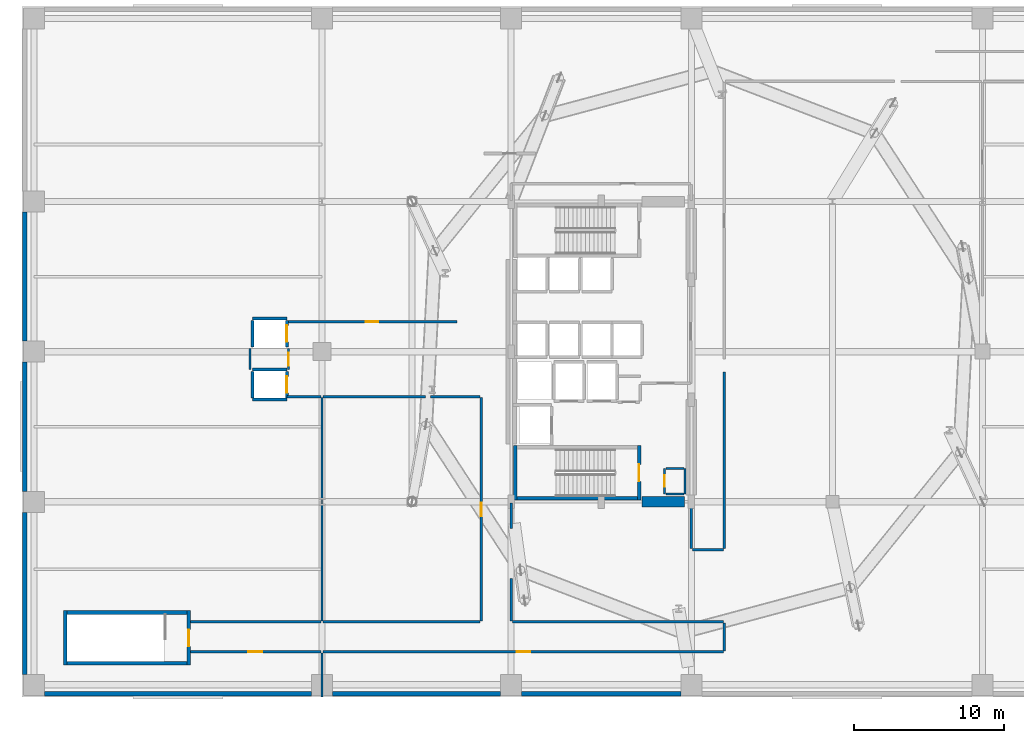
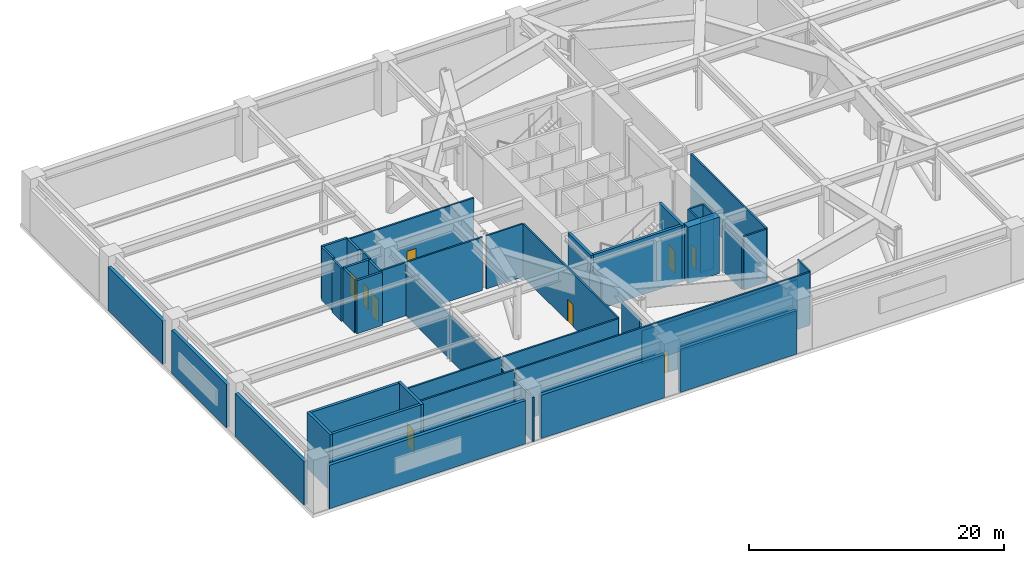
# One storey, part 6 of 12: 45 walls, 10 doors, 10 openings.
"""IFC4 building model written with IfcOpenShell, lengths in metres."""

from ifc_helpers import new_model, si_unit, direction, frame, frame_2d, origin, place, context, subcontext, project, spatial, rectangle, extrude, material, layer, layer_set, type_object, element, fill, save


model = new_model("IFC4")

# Units and contexts
model_context = context("Model", 3, precision=1e-05, world=origin(), true_north=direction((0.0, 1.0)))
body_context = subcontext(model_context, "Body", "Model", "MODEL_VIEW")
ifc_project = project(units=[si_unit("LENGTHUNIT", "METRE"), si_unit("AREAUNIT", "SQUARE_METRE"), si_unit("VOLUMEUNIT", "CUBIC_METRE"), si_unit("PLANEANGLEUNIT", "RADIAN"), si_unit("MASSUNIT", "GRAM", prefix="KILO")], contexts=[model_context])

# Site, building, storey
site_placement = place(None, origin())
site = spatial("IfcSite", under=ifc_project, at=site_placement, CompositionType="ELEMENT")
building_placement = place(site_placement, origin())
building = spatial("IfcBuilding", under=site, at=building_placement, Name="Soratama Intermodal Tower", CompositionType="ELEMENT")
storey_placement = place(building_placement, frame((0.0, 0.0, 25.199951171875)))
storey = spatial("IfcBuildingStorey", under=building, at=storey_placement, Name="L05", CompositionType="ELEMENT", Elevation=25.199951171875)

# Walls
ifc_material_1 = material(Name="Concrete f'c 42 MPa", Category="concrete")
ifc_layer_1 = layer(ifc_material_1, 0.300048828125)
ifc_layer_set_1 = layer_set([ifc_layer_1], Name="Concrete f'c 42 MPa")
wall_type_1 = type_object("IfcWallType", Name="EW-STONE-300", PredefinedType="SOLIDWALL", material=ifc_layer_set_1)
wall_1_placement = place(storey_placement, frame((19.300048828125, 2.199951171875, 0.0), z_axis=(0.0, 0.0, 1.0), x_axis=(-1.0, 0.0, 0.0)))
element("IfcWall", 1, at=wall_1_placement, inside=storey, type_object=wall_type_1, Name="L05 Transfer Plant Wall S1", PredefinedType="SOLIDWALL", context=body_context, shape_type="SweptSolid", body=[
    extrude(rectangle(XDim=17.800048828125, YDim=0.300048828125, at=frame_2d((8.89990234375, 0.0))), origin(), (0.0, 0.0, 1.0), 4.156005859375),
])
wall_2_placement = place(storey_placement, frame((31.89990234375, 2.199951171875, 0.0), z_axis=(0.0, 0.0, 1.0), x_axis=(-1.0, 0.0, 0.0)))
element("IfcWall", 2, at=wall_2_placement, inside=storey, type_object=wall_type_1, Name="L05 Transfer Plant Wall S2", PredefinedType="SOLIDWALL", context=body_context, shape_type="SweptSolid", body=[
    extrude(rectangle(XDim=11.199951171875, YDim=0.300048828125, at=frame_2d((5.60009765625, 0.0))), origin(), (0.0, 0.0, 1.0), 4.156005859375),
])
wall_3_placement = place(storey_placement, frame((43.89990234375, 2.199951171875, 0.0), z_axis=(0.0, 0.0, 1.0), x_axis=(-1.0, 0.0, 0.0)))
element("IfcWall", 3, at=wall_3_placement, inside=storey, type_object=wall_type_1, Name="L05 Transfer Plant Wall S3", PredefinedType="SOLIDWALL", context=body_context, shape_type="SweptSolid", body=[
    extrude(rectangle(XDim=10.599853515625, YDim=0.300048828125, at=frame_2d((5.2998046875, 0.0))), origin(), (0.0, 0.0, 1.0), 4.156005859375),
])
wall_4_placement = place(storey_placement, frame((0.199951171875, 3.5, 0.0), z_axis=(0.0, 0.0, 1.0), x_axis=(0.0, 1.0, 0.0)))
element("IfcWall", 4, at=wall_4_placement, inside=storey, type_object=wall_type_1, Name="L05 Transfer Plant Wall W1", PredefinedType="SOLIDWALL", context=body_context, shape_type="SweptSolid", body=[
    extrude(rectangle(XDim=10.800048828125, YDim=0.300048828125, at=frame_2d((5.39990234375, 0.0))), origin(), (0.0, 0.0, 1.0), 4.156005859375),
])
for number, where, z_axis, x_axis, name in (
    (5, (0.199951171875, 15.699951171875, 0.0), (0.0, 0.0, 1.0), (0.0, 1.0, 0.0), "L05 Transfer Plant Wall W2"),
    (6, (0.199951171875, 25.699951171875, 0.0), (0.0, 0.0, 1.0), (0.0, 1.0, 0.0), "L05 Transfer Plant Wall W3"),
):
    element("IfcWall", number, at=place(storey_placement, frame(where, z_axis=z_axis, x_axis=x_axis)), inside=storey, type_object=wall_type_1, Name=name, PredefinedType="SOLIDWALL", context=body_context, shape_type="SweptSolid", body=[
        extrude(rectangle(XDim=8.60009765625, YDim=0.300048828125, at=frame_2d((4.300048828125, 0.0))), origin(), (0.0, 0.0, 1.0), 4.156005859375),
    ])
ifc_material_2 = material(Name="Fire-rated gypsum stud partition", Category="concrete")
ifc_layer_2 = layer(ifc_material_2, 0.14990234375)
ifc_layer_set_2 = layer_set([ifc_layer_2], Name="Fire-rated gypsum stud partition")
wall_type_2 = type_object("IfcWallType", Name="IW-PART-R150", PredefinedType="PARTITIONING", material=ifc_layer_set_2)
for number, where, z_axis, x_axis, name in (
    (7, (42.89990234375, 15.52001953125, 0.0), (0.0, 0.0, 1.0), (1.0, 0.0, 0.0), "L05 Riser Wall S"),
    (8, (42.89990234375, 17.219970703125, 0.0), (0.0, 0.0, 1.0), (1.0, 0.0, 0.0), "L05 Riser Wall N"),
):
    element("IfcWall", number, at=place(storey_placement, frame(where, z_axis=z_axis, x_axis=x_axis)), inside=storey, type_object=wall_type_2, Name=name, PredefinedType="PARTITIONING", context=body_context, shape_type="SweptSolid", body=[
        extrude(rectangle(XDim=1.2001953125, YDim=0.14990234375, at=frame_2d((0.60009765625, 0.0))), origin(), (0.0, 0.0, 1.0), 5.10009765625),
    ])
wall_5_placement = place(storey_placement, frame((44.179931640625, 15.52001953125, 0.0), z_axis=(0.0, 0.0, 1.0), x_axis=(0.0, 1.0, 0.0)))
element("IfcWall", 9, at=wall_5_placement, inside=storey, type_object=wall_type_2, Name="L05 Riser Wall E", PredefinedType="PARTITIONING", context=body_context, shape_type="SweptSolid", body=[
    extrude(rectangle(XDim=1.699951171875, YDim=0.14990234375, at=frame_2d((0.85009765625, 0.0))), origin(), (0.0, 0.0, 1.0), 5.10009765625),
])

# Wall, opening, door
wall_6_placement = place(storey_placement, frame((42.820068359375, 15.52001953125, 0.0), z_axis=(0.0, 0.0, 1.0), x_axis=(0.0, 1.0, 0.0)))
wall_6 = element("IfcWall", 10, at=wall_6_placement, inside=storey, type_object=wall_type_2, Name="L05 Riser Front Wall", PredefinedType="PARTITIONING", context=body_context, shape_type="SweptSolid", body=[
    extrude(rectangle(XDim=1.699951171875, YDim=0.14990234375, at=frame_2d((0.85009765625, 0.0))), origin(), (0.0, 0.0, 1.0), 5.10009765625),
])
opening_1_placement = place(wall_6_placement, frame((0.469970703125, 0.0, 0.0)))
opening_1 = element("IfcOpeningElement", 11, at=opening_1_placement, cuts=wall_6, Name="Opening TD-1", PredefinedType="OPENING", context=body_context, shape_type="SweptSolid", body=[
    extrude(rectangle(XDim=0.760009765625, YDim=2.0, at=frame_2d((0.3798828125, 1.0))), frame((0.0, 0.0849609375, 0.0), z_axis=(0.0, -1.0, 0.0), x_axis=(1.0, 0.0, 0.0)), (0.0, 0.0, 1.0), 0.169921875),
])
ifc_material_3 = material(Name="Steel fire door", Category="steel")
door_type_1 = type_object("IfcDoorType", Name="DR-RISER-TRAP", OperationType="NOTDEFINED", PredefinedType="TRAPDOOR", material=ifc_material_3)
door_1_placement = place(opening_1_placement, origin())
door_1 = element("IfcDoor", 12, at=door_1_placement, inside=storey, type_object=door_type_1, Name="L05 Riser Inspection Door", OperationType="SINGLE_SWING_LEFT", OverallHeight=2.0, OverallWidth=0.760009765625, PredefinedType="TRAPDOOR", context=body_context, shape_type="SweptSolid", body=[
    extrude(rectangle(XDim=0.760009765625, YDim=2.0, at=frame_2d((0.3798828125, 1.0))), frame((0.0, 0.02490234375, 0.0), z_axis=(0.0, -1.0, 0.0), x_axis=(1.0, 0.0, 0.0)), (0.0, 0.0, 1.0), 0.050048828125),
])
fill(opening_1, door_1)

wall_7_placement = place(storey_placement, frame((46.72998046875, 5.0, 0.0), z_axis=(0.0, 0.0, 1.0), x_axis=(-1.0, 0.0, 0.0)))
wall_7 = element("IfcWall", 13, at=wall_7_placement, inside=storey, type_object=wall_type_2, Name="L05 Partition W-L05-TP001", PredefinedType="PARTITIONING", context=body_context, shape_type="SweptSolid", body=[
    extrude(rectangle(XDim=26.659912109375, YDim=0.14990234375, at=frame_2d((13.330078125, 0.0))), origin(), (0.0, 0.0, 1.0), 5.10009765625),
])
opening_2_placement = place(wall_7_placement, frame((12.85498046875, 0.0, 0.0)))
opening_2 = element("IfcOpeningElement", 14, at=opening_2_placement, cuts=wall_7, Name="Opening ID-6", PredefinedType="OPENING", context=body_context, shape_type="SweptSolid", body=[
    extrude(rectangle(XDim=0.919921875, YDim=2.1201171875, at=frame_2d((0.4599609375, 1.06005859375))), frame((0.0, 0.0849609375, 0.0), z_axis=(0.0, -1.0, 0.0), x_axis=(1.0, 0.0, 0.0)), (0.0, 0.0, 1.0), 0.169921875),
])
ifc_material_4 = material(Name="Solid hardwood acoustic door", Category="wood")
door_type_2 = type_object("IfcDoorType", Name="DR-ROOM-920", OperationType="NOTDEFINED", PredefinedType="DOOR", material=ifc_material_4)
door_2_placement = place(opening_2_placement, origin())
door_2 = element("IfcDoor", 15, at=door_2_placement, inside=storey, type_object=door_type_2, Name="L05 Door D-L05-TP001", OperationType="SINGLE_SWING_RIGHT", OverallHeight=2.1201171875, OverallWidth=0.919921875, PredefinedType="DOOR", context=body_context, shape_type="SweptSolid", body=[
    extrude(rectangle(XDim=0.919921875, YDim=2.1201171875, at=frame_2d((0.4599609375, 1.06005859375))), frame((0.0, 0.02490234375, 0.0), z_axis=(0.0, -1.0, 0.0), x_axis=(1.0, 0.0, 0.0)), (0.0, 0.0, 1.0), 0.050048828125),
])
fill(opening_2, door_2)

wall_8_placement = place(storey_placement, frame((30.60009765625, 7.070068359375, 0.0), z_axis=(0.0, 0.0, 1.0), x_axis=(0.0, 1.0, 0.0)))
wall_8 = element("IfcWall", 16, at=wall_8_placement, inside=storey, type_object=wall_type_2, Name="L05 Partition W-L05-TP002", PredefinedType="PARTITIONING", context=body_context, shape_type="SweptSolid", body=[
    extrude(rectangle(XDim=14.85986328125, YDim=0.14990234375, at=frame_2d((7.429931640625, 0.0))), origin(), (0.0, 0.0, 1.0), 5.10009765625),
])
opening_3_placement = place(wall_8_placement, frame((6.955078125, 0.0, 0.0)))
opening_3 = element("IfcOpeningElement", 17, at=opening_3_placement, cuts=wall_8, Name="Opening ID-6", PredefinedType="OPENING", context=body_context, shape_type="SweptSolid", body=[
    extrude(rectangle(XDim=0.919921875, YDim=2.1201171875, at=frame_2d((0.4599609375, 1.06005859375))), frame((0.0, 0.0849609375, 0.0), z_axis=(0.0, -1.0, 0.0), x_axis=(1.0, 0.0, 0.0)), (0.0, 0.0, 1.0), 0.169921875),
])
door_3_placement = place(opening_3_placement, origin())
door_3 = element("IfcDoor", 18, at=door_3_placement, inside=storey, type_object=door_type_2, Name="L05 Door D-L05-TP002", OperationType="SINGLE_SWING_LEFT", OverallHeight=2.1201171875, OverallWidth=0.919921875, PredefinedType="DOOR", context=body_context, shape_type="SweptSolid", body=[
    extrude(rectangle(XDim=0.919921875, YDim=2.1201171875, at=frame_2d((0.4599609375, 1.06005859375))), frame((0.0, 0.02490234375, 0.0), z_axis=(0.0, -1.0, 0.0), x_axis=(1.0, 0.0, 0.0)), (0.0, 0.0, 1.0), 0.050048828125),
])
fill(opening_3, door_3)

# Walls
wall_9_placement = place(storey_placement, frame((20.0, 21.929931640625, 0.0), z_axis=(0.0, 0.0, 1.0), x_axis=(0.0, -1.0, 0.0)))
element("IfcWall", 19, at=wall_9_placement, inside=storey, type_object=wall_type_2, Name="L05 Partition W-L05-TP003", PredefinedType="PARTITIONING", context=body_context, shape_type="SweptSolid", body=[
    extrude(rectangle(XDim=14.85986328125, YDim=0.14990234375, at=frame_2d((7.429931640625, 0.0))), origin(), (0.0, 0.0, 1.0), 4.22216796875),
])
wall_10_placement = place(storey_placement, frame((32.669921875, 7.0, 0.0), z_axis=(0.0, 0.0, 1.0), x_axis=(1.0, 0.0, 0.0)))
element("IfcWall", 20, at=wall_10_placement, inside=storey, type_object=wall_type_2, Name="L05 Partition W-L05-TP004", PredefinedType="PARTITIONING", context=body_context, shape_type="SweptSolid", body=[
    extrude(rectangle(XDim=14.06005859375, YDim=0.14990234375, at=frame_2d((7.030029296875, 0.0))), origin(), (0.0, 0.0, 1.0), 3.170166015625),
])
wall_11_placement = place(storey_placement, frame((20.070068359375, 7.0, 0.0), z_axis=(0.0, 0.0, 1.0), x_axis=(1.0, 0.0, 0.0)))
element("IfcWall", 21, at=wall_11_placement, inside=storey, type_object=wall_type_2, Name="L05 Partition W-L05-TP006", PredefinedType="PARTITIONING", context=body_context, shape_type="SweptSolid", body=[
    extrude(rectangle(XDim=10.4599609375, YDim=0.14990234375, at=frame_2d((5.22998046875, 0.0))), origin(), (0.0, 0.0, 1.0), 5.10009765625),
])

# Wall, opening, door
wall_12_placement = place(storey_placement, frame((19.929931640625, 5.0, 0.0), z_axis=(0.0, 0.0, 1.0), x_axis=(-1.0, 0.0, 0.0)))
wall_12 = element("IfcWall", 22, at=wall_12_placement, inside=storey, type_object=wall_type_2, Name="L05 Partition W-L05-TP008", PredefinedType="PARTITIONING", context=body_context, shape_type="SweptSolid", body=[
    extrude(rectangle(XDim=8.809814453125, YDim=0.14990234375, at=frame_2d((4.40478515625, 0.0))), origin(), (0.0, 0.0, 1.0), 5.10009765625),
])
opening_4_placement = place(wall_12_placement, frame((3.929931640625, 0.0, 0.0)))
opening_4 = element("IfcOpeningElement", 23, at=opening_4_placement, cuts=wall_12, Name="Opening ID-6", PredefinedType="OPENING", context=body_context, shape_type="SweptSolid", body=[
    extrude(rectangle(XDim=0.919921875, YDim=2.1201171875, at=frame_2d((0.4599609375, 1.06005859375))), frame((0.0, 0.0849609375, 0.0), z_axis=(0.0, -1.0, 0.0), x_axis=(1.0, 0.0, 0.0)), (0.0, 0.0, 1.0), 0.169921875),
])
door_4_placement = place(opening_4_placement, origin())
door_4 = element("IfcDoor", 24, at=door_4_placement, inside=storey, type_object=door_type_2, Name="L05 Door D-L05-TP005", OperationType="SINGLE_SWING_RIGHT", OverallHeight=2.1201171875, OverallWidth=0.919921875, PredefinedType="DOOR", context=body_context, shape_type="SweptSolid", body=[
    extrude(rectangle(XDim=0.919921875, YDim=2.1201171875, at=frame_2d((0.4599609375, 1.06005859375))), frame((0.0, 0.02490234375, 0.0), z_axis=(0.0, -1.0, 0.0), x_axis=(1.0, 0.0, 0.0)), (0.0, 0.0, 1.0), 0.050048828125),
])
fill(opening_4, door_4)

# Walls
wall_13_placement = place(storey_placement, frame((11.1201171875, 7.0, 0.0), z_axis=(0.0, 0.0, 1.0), x_axis=(1.0, 0.0, 0.0)))
element("IfcWall", 25, at=wall_13_placement, inside=storey, type_object=wall_type_2, Name="L05 Partition W-L05-TP009", PredefinedType="PARTITIONING", context=body_context, shape_type="SweptSolid", body=[
    extrude(rectangle(XDim=8.809814453125, YDim=0.14990234375, at=frame_2d((4.40478515625, 0.0))), origin(), (0.0, 0.0, 1.0), 5.10009765625),
])
wall_14_placement = place(storey_placement, frame((44.60009765625, 11.8701171875, 0.0), z_axis=(0.0, 0.0, 1.0), x_axis=(0.0, 1.0, 0.0)))
element("IfcWall", 26, at=wall_14_placement, inside=storey, type_object=wall_type_2, Name="L05 Partition W-L05-TP012", PredefinedType="PARTITIONING", context=body_context, shape_type="SweptSolid", body=[
    extrude(rectangle(XDim=3.059814453125, YDim=0.14990234375, at=frame_2d((1.52978515625, 0.0))), origin(), (0.0, 0.0, 1.0), 4.22216796875),
])
wall_15_placement = place(storey_placement, frame((20.0, 2.0, 0.0), z_axis=(0.0, 0.0, 1.0), x_axis=(0.0, 1.0, 0.0)))
element("IfcWall", 27, at=wall_15_placement, inside=storey, type_object=wall_type_2, Name="L05 Partition W-L05-TP013", PredefinedType="PARTITIONING", context=body_context, shape_type="SweptSolid", body=[
    extrude(rectangle(XDim=2.929931640625, YDim=0.14990234375, at=frame_2d((1.46484375, 0.0))), origin(), (0.0, 0.0, 1.0), 4.22216796875),
])
wall_16_placement = place(storey_placement, frame((19.929931640625, 22.0, 0.0), z_axis=(0.0, 0.0, 1.0), x_axis=(-1.0, 0.0, 0.0)))
element("IfcWall", 28, at=wall_16_placement, inside=storey, type_object=wall_type_2, Name="L05 Partition W-L05-TP014", PredefinedType="PARTITIONING", context=body_context, shape_type="SweptSolid", body=[
    extrude(rectangle(XDim=2.280029296875, YDim=0.14990234375, at=frame_2d((1.14013671875, 0.0))), origin(), (0.0, 0.0, 1.0), 5.10009765625),
])
wall_17_placement = place(storey_placement, frame((46.72998046875, 11.800048828125, 0.0), z_axis=(0.0, 0.0, 1.0), x_axis=(-1.0, 0.0, 0.0)))
element("IfcWall", 29, at=wall_17_placement, inside=storey, type_object=wall_type_2, Name="L05 Partition W-L05-TP015", PredefinedType="PARTITIONING", context=body_context, shape_type="SweptSolid", body=[
    extrude(rectangle(XDim=2.06005859375, YDim=0.14990234375, at=frame_2d((1.030029296875, 0.0))), origin(), (0.0, 0.0, 1.0), 5.10009765625),
])
wall_18_placement = place(storey_placement, frame((46.800048828125, 6.929931640625, 0.0), z_axis=(0.0, 0.0, 1.0), x_axis=(0.0, -1.0, 0.0)))
element("IfcWall", 30, at=wall_18_placement, inside=storey, type_object=wall_type_2, Name="L05 Partition W-L05-TP016", PredefinedType="PARTITIONING", context=body_context, shape_type="SweptSolid", body=[
    extrude(rectangle(XDim=1.85986328125, YDim=0.14990234375, at=frame_2d((0.929931640625, 0.0))), origin(), (0.0, 0.0, 1.0), 5.10009765625),
])

# Wall, opening, door
wall_19_placement = place(storey_placement, frame((17.77001953125, 23.800048828125, 0.0), z_axis=(0.0, 0.0, 1.0), x_axis=(0.0, 1.0, 0.0)))
wall_19 = element("IfcWall", 31, at=wall_19_placement, inside=storey, type_object=wall_type_2, Name="L05 Partition W-L05-TP018", PredefinedType="PARTITIONING", context=body_context, shape_type="SweptSolid", body=[
    extrude(rectangle(XDim=1.39990234375, YDim=0.14990234375, at=frame_2d((0.699951171875, 0.0))), origin(), (0.0, 0.0, 1.0), 5.10009765625),
])
opening_5_placement = place(wall_19_placement, frame((0.27490234375, 0.0, 0.0)))
opening_5 = element("IfcOpeningElement", 32, at=opening_5_placement, cuts=wall_19, Name="Opening ID-4", PredefinedType="OPENING", context=body_context, shape_type="SweptSolid", body=[
    extrude(rectangle(XDim=0.85009765625, YDim=2.10009765625, at=frame_2d((0.425048828125, 1.050048828125))), frame((0.0, 0.0849609375, 0.0), z_axis=(0.0, -1.0, 0.0), x_axis=(1.0, 0.0, 0.0)), (0.0, 0.0, 1.0), 0.169921875),
])
ifc_material_5 = material(Name="Solid hardwood acoustic door", Category="wood")
door_type_3 = type_object("IfcDoorType", Name="DR-BATH-850", OperationType="NOTDEFINED", PredefinedType="DOOR", material=ifc_material_5)
door_5_placement = place(opening_5_placement, origin())
door_5 = element("IfcDoor", 33, at=door_5_placement, inside=storey, type_object=door_type_3, Name="L05 Door D-L05-TP009", OperationType="SINGLE_SWING_LEFT", OverallHeight=2.10009765625, OverallWidth=0.85009765625, PredefinedType="DOOR", context=body_context, shape_type="SweptSolid", body=[
    extrude(rectangle(XDim=0.85009765625, YDim=2.10009765625, at=frame_2d((0.425048828125, 1.050048828125))), frame((0.0, 0.02490234375, 0.0), z_axis=(0.0, -1.0, 0.0), x_axis=(1.0, 0.0, 0.0)), (0.0, 0.0, 1.0), 0.050048828125),
])
fill(opening_5, door_5)

# Walls
wall_20_placement = place(storey_placement, frame((15.205078125, 23.800048828125, 0.0), z_axis=(0.0, 0.0, 1.0), x_axis=(0.0, 1.0, 0.0)))
element("IfcWall", 34, at=wall_20_placement, inside=storey, type_object=wall_type_2, Name="L05 Partition W-L05-TP019", PredefinedType="PARTITIONING", context=body_context, shape_type="SweptSolid", body=[
    extrude(rectangle(XDim=1.39990234375, YDim=0.14990234375, at=frame_2d((0.699951171875, 0.0))), origin(), (0.0, 0.0, 1.0), 5.10009765625),
])
wall_21_placement = place(storey_placement, frame((46.800048828125, 23.656005859375, 0.0), z_axis=(0.0, 0.0, 1.0), x_axis=(0.0, -1.0, 0.0)))
element("IfcWall", 35, at=wall_21_placement, inside=storey, type_object=wall_type_2, Name="L05 Partition W-L05-TP026", PredefinedType="PARTITIONING", context=body_context, shape_type="SweptSolid", body=[
    extrude(rectangle(XDim=11.785888671875, YDim=0.14990234375, at=frame_2d((5.89306640625, 0.0))), origin(), (0.0, 0.0, 1.0), 5.10009765625),
])

# Wall, opening, door
wall_22_placement = place(storey_placement, frame((17.64990234375, 27.0, 0.0), z_axis=(0.0, 0.0, 1.0), x_axis=(1.0, 0.0, 0.0)))
wall_22 = element("IfcWall", 36, at=wall_22_placement, inside=storey, type_object=wall_type_2, Name="L05 Partition W-L05-TP027", PredefinedType="PARTITIONING", context=body_context, shape_type="SweptSolid", body=[
    extrude(rectangle(XDim=11.337158203125, YDim=0.14990234375, at=frame_2d((5.66845703125, 0.0))), origin(), (0.0, 0.0, 1.0), 5.10009765625),
])
opening_6_placement = place(wall_22_placement, frame((5.243896484375, 0.0, 0.0)))
opening_6 = element("IfcOpeningElement", 37, at=opening_6_placement, cuts=wall_22, Name="Opening ID-4", PredefinedType="OPENING", context=body_context, shape_type="SweptSolid", body=[
    extrude(rectangle(XDim=0.85009765625, YDim=2.10009765625, at=frame_2d((0.425048828125, 1.050048828125))), frame((0.0, 0.0849609375, 0.0), z_axis=(0.0, -1.0, 0.0), x_axis=(1.0, 0.0, 0.0)), (0.0, 0.0, 1.0), 0.169921875),
])
door_6_placement = place(opening_6_placement, origin())
door_6 = element("IfcDoor", 38, at=door_6_placement, inside=storey, type_object=door_type_3, Name="L05 Door D-L05-TP010", OperationType="SINGLE_SWING_LEFT", OverallHeight=2.10009765625, OverallWidth=0.85009765625, PredefinedType="DOOR", context=body_context, shape_type="SweptSolid", body=[
    extrude(rectangle(XDim=0.85009765625, YDim=2.10009765625, at=frame_2d((0.425048828125, 1.050048828125))), frame((0.0, 0.02490234375, 0.0), z_axis=(0.0, -1.0, 0.0), x_axis=(1.0, 0.0, 0.0)), (0.0, 0.0, 1.0), 0.050048828125),
])
fill(opening_6, door_6)

# Walls
wall_23_placement = place(storey_placement, frame((26.884033203125, 22.0, 0.0), z_axis=(0.0, 0.0, 1.0), x_axis=(-1.0, 0.0, 0.0)))
element("IfcWall", 39, at=wall_23_placement, inside=storey, type_object=wall_type_2, Name="L05 Partition W-L05-TP029", PredefinedType="PARTITIONING", context=body_context, shape_type="SweptSolid", body=[
    extrude(rectangle(XDim=6.81396484375, YDim=0.14990234375, at=frame_2d((3.406982421875, 0.0))), origin(), (0.0, 0.0, 1.0), 5.10009765625),
])
wall_24_placement = place(storey_placement, frame((30.530029296875, 22.0, 0.0), z_axis=(0.0, 0.0, 1.0), x_axis=(-1.0, 0.0, 0.0)))
element("IfcWall", 40, at=wall_24_placement, inside=storey, type_object=wall_type_2, Name="L05 Partition W-L05-TP032", PredefinedType="PARTITIONING", context=body_context, shape_type="SweptSolid", body=[
    extrude(rectangle(XDim=3.322998046875, YDim=0.14990234375, at=frame_2d((1.66162109375, 0.0))), origin(), (0.0, 0.0, 1.0), 5.10009765625),
])
wall_25_placement = place(storey_placement, frame((32.60009765625, 9.887939453125, 0.0), z_axis=(0.0, 0.0, 1.0), x_axis=(0.0, -1.0, 0.0)))
element("IfcWall", 41, at=wall_25_placement, inside=storey, type_object=wall_type_2, Name="L05 Partition W-L05-TP033", PredefinedType="PARTITIONING", context=body_context, shape_type="SweptSolid", body=[
    extrude(rectangle(XDim=2.81787109375, YDim=0.14990234375, at=frame_2d((1.408935546875, 0.0))), origin(), (0.0, 0.0, 1.0), 4.22216796875),
])
wall_26_placement = place(storey_placement, frame((32.60009765625, 14.929931640625, 0.0), z_axis=(0.0, 0.0, 1.0), x_axis=(0.0, -1.0, 0.0)))
element("IfcWall", 42, at=wall_26_placement, inside=storey, type_object=wall_type_2, Name="L05 Partition W-L05-TP034", PredefinedType="PARTITIONING", context=body_context, shape_type="SweptSolid", body=[
    extrude(rectangle(XDim=1.722900390625, YDim=0.14990234375, at=frame_2d((0.861328125, 0.0))), origin(), (0.0, 0.0, 1.0), 4.22216796875),
])
ifc_material_6 = material(Name="Concrete f'c 42 MPa", Category="concrete")
ifc_layer_3 = layer(ifc_material_6, 0.199951171875)
ifc_layer_set_3 = layer_set([ifc_layer_3], Name="Concrete f'c 42 MPa")
wall_type_3 = type_object("IfcWallType", Name="IW-SHAFT-200", PredefinedType="SOLIDWALL", material=ifc_layer_set_3)
for number, where, z_axis, x_axis, name in (
    (43, (15.35009765625, 21.800048828125, 0.0), (0.0, 0.0, 1.0), (1.0, 0.0, 0.0), "L05 PL-P1 Hoistway Wall S"),
    (44, (15.35009765625, 23.800048828125, 0.0), (0.0, 0.0, 1.0), (1.0, 0.0, 0.0), "L05 PL-P1 Hoistway Wall N"),
):
    element("IfcWall", number, at=place(storey_placement, frame(where, z_axis=z_axis, x_axis=x_axis)), inside=storey, type_object=wall_type_3, Name=name, PredefinedType="SOLIDWALL", context=body_context, shape_type="SweptSolid", body=[
        extrude(rectangle(XDim=2.2998046875, YDim=0.199951171875, at=frame_2d((1.14990234375, 0.0))), origin(), (0.0, 0.0, 1.0), 5.10009765625),
    ])
wall_27_placement = place(storey_placement, frame((15.35009765625, 21.909912109375, 0.0), z_axis=(0.0, 0.0, 1.0), x_axis=(0.0, 1.0, 0.0)))
element("IfcWall", 45, at=wall_27_placement, inside=storey, type_object=wall_type_3, Name="L05 PL-P1 Hoistway Wall W", PredefinedType="SOLIDWALL", context=body_context, shape_type="SweptSolid", body=[
    extrude(rectangle(XDim=1.780029296875, YDim=0.199951171875, at=frame_2d((0.89013671875, 0.0))), origin(), (0.0, 0.0, 1.0), 5.10009765625),
])

# Wall, opening, door
wall_28_placement = place(storey_placement, frame((17.64990234375, 21.909912109375, 0.0), z_axis=(0.0, 0.0, 1.0), x_axis=(0.0, 1.0, 0.0)))
wall_28 = element("IfcWall", 46, at=wall_28_placement, inside=storey, type_object=wall_type_3, Name="L05 PL-P1 Hoistway Wall E", PredefinedType="SOLIDWALL", context=body_context, shape_type="SweptSolid", body=[
    extrude(rectangle(XDim=1.780029296875, YDim=0.199951171875, at=frame_2d((0.89013671875, 0.0))), origin(), (0.0, 0.0, 1.0), 5.10009765625),
])
opening_7_placement = place(wall_28_placement, frame((0.340087890625, 0.0, 0.0)))
opening_7 = element("IfcOpeningElement", 47, at=opening_7_placement, cuts=wall_28, Name="Opening LD-1", PredefinedType="OPENING", context=body_context, shape_type="SweptSolid", body=[
    extrude(rectangle(XDim=1.10009765625, YDim=2.14990234375, at=frame_2d((0.550048828125, 1.074951171875))), frame((0.0, 0.10986328125, 0.0), z_axis=(0.0, -1.0, 0.0), x_axis=(1.0, 0.0, 0.0)), (0.0, 0.0, 1.0), 0.219970703125),
])
ifc_material_7 = material(Name="Steel fire door", Category="steel")
door_type_4 = type_object("IfcDoorType", Name="DR-LIFT-SLIDE", OperationType="NOTDEFINED", PredefinedType="DOOR", material=ifc_material_7)
door_7_placement = place(opening_7_placement, origin())
door_7 = element("IfcDoor", 48, at=door_7_placement, inside=storey, type_object=door_type_4, Name="L05 PL-P1 Sliding Landing Door", OperationType="SLIDING_TO_LEFT", OverallHeight=2.14990234375, OverallWidth=1.10009765625, PredefinedType="DOOR", context=body_context, shape_type="SweptSolid", body=[
    extrude(rectangle(XDim=1.10009765625, YDim=2.14990234375, at=frame_2d((0.550048828125, 1.074951171875))), frame((0.0, 0.02490234375, 0.0), z_axis=(0.0, -1.0, 0.0), x_axis=(1.0, 0.0, 0.0)), (0.0, 0.0, 1.0), 0.050048828125),
])
fill(opening_7, door_7)

# Walls
wall_29_placement = place(storey_placement, frame((15.35009765625, 27.199951171875, 0.0), z_axis=(0.0, 0.0, 1.0), x_axis=(1.0, 0.0, 0.0)))
element("IfcWall", 49, at=wall_29_placement, inside=storey, type_object=wall_type_3, Name="L05 PL-P2 Hoistway Wall N", PredefinedType="SOLIDWALL", context=body_context, shape_type="SweptSolid", body=[
    extrude(rectangle(XDim=2.2998046875, YDim=0.199951171875, at=frame_2d((1.14990234375, 0.0))), origin(), (0.0, 0.0, 1.0), 5.10009765625),
])
wall_30_placement = place(storey_placement, frame((15.35009765625, 25.31005859375, 0.0), z_axis=(0.0, 0.0, 1.0), x_axis=(0.0, 1.0, 0.0)))
element("IfcWall", 50, at=wall_30_placement, inside=storey, type_object=wall_type_3, Name="L05 PL-P2 Hoistway Wall W", PredefinedType="SOLIDWALL", context=body_context, shape_type="SweptSolid", body=[
    extrude(rectangle(XDim=1.780029296875, YDim=0.199951171875, at=frame_2d((0.89013671875, 0.0))), origin(), (0.0, 0.0, 1.0), 5.10009765625),
])

# Wall, opening, door
wall_31_placement = place(storey_placement, frame((17.64990234375, 25.31005859375, 0.0), z_axis=(0.0, 0.0, 1.0), x_axis=(0.0, 1.0, 0.0)))
wall_31 = element("IfcWall", 51, at=wall_31_placement, inside=storey, type_object=wall_type_3, Name="L05 PL-P2 Hoistway Wall E", PredefinedType="SOLIDWALL", context=body_context, shape_type="SweptSolid", body=[
    extrude(rectangle(XDim=1.780029296875, YDim=0.199951171875, at=frame_2d((0.89013671875, 0.0))), origin(), (0.0, 0.0, 1.0), 5.10009765625),
])
opening_8_placement = place(wall_31_placement, frame((0.340087890625, 0.0, 0.0)))
opening_8 = element("IfcOpeningElement", 52, at=opening_8_placement, cuts=wall_31, Name="Opening LD-1", PredefinedType="OPENING", context=body_context, shape_type="SweptSolid", body=[
    extrude(rectangle(XDim=1.10009765625, YDim=2.14990234375, at=frame_2d((0.550048828125, 1.074951171875))), frame((0.0, 0.10986328125, 0.0), z_axis=(0.0, -1.0, 0.0), x_axis=(1.0, 0.0, 0.0)), (0.0, 0.0, 1.0), 0.219970703125),
])
door_8_placement = place(opening_8_placement, origin())
door_8 = element("IfcDoor", 53, at=door_8_placement, inside=storey, type_object=door_type_4, Name="L05 PL-P2 Sliding Landing Door", OperationType="SLIDING_TO_LEFT", OverallHeight=2.14990234375, OverallWidth=1.10009765625, PredefinedType="DOOR", context=body_context, shape_type="SweptSolid", body=[
    extrude(rectangle(XDim=1.10009765625, YDim=2.14990234375, at=frame_2d((0.550048828125, 1.074951171875))), frame((0.0, 0.02490234375, 0.0), z_axis=(0.0, -1.0, 0.0), x_axis=(1.0, 0.0, 0.0)), (0.0, 0.0, 1.0), 0.050048828125),
])
fill(opening_8, door_8)

# Walls
ifc_material_8 = material(Name="Concrete f'c 56 MPa", Category="concrete")
ifc_layer_4 = layer(ifc_material_8, 0.699951171875)
ifc_layer_set_4 = layer_set([ifc_layer_4], Name="Concrete f'c 56 MPa")
wall_type_4 = type_object("IfcWallType", Name="SW-CORE-700", PredefinedType="SHEAR", material=ifc_layer_set_4)
wall_32_placement = place(storey_placement, frame((41.300048828125, 15.0, 0.0), z_axis=(0.0, 0.0, 1.0), x_axis=(1.0, 0.0, 0.0)))
element("IfcWall", 54, at=wall_32_placement, inside=storey, type_object=wall_type_4, Name="L05 Core Shear Wall CW-SE", PredefinedType="SHEAR", context=body_context, shape_type="SweptSolid", body=[
    extrude(rectangle(XDim=2.849853515625, YDim=0.699951171875, at=frame_2d((1.4248046875, 0.0))), origin(), (0.0, 0.0, 1.0), 5.400146484375),
])
ifc_material_9 = material(Name="Concrete f'c 56 MPa", Category="concrete")
ifc_layer_5 = layer(ifc_material_9, 0.239990234375)
ifc_layer_set_5 = layer_set([ifc_layer_5], Name="Concrete f'c 56 MPa")
wall_type_5 = type_object("IfcWallType", Name="SW-STAIR-240", PredefinedType="SHEAR", material=ifc_layer_set_5)
wall_33_placement = place(storey_placement, frame((32.8798828125, 15.110107421875, 0.0), z_axis=(0.0, 0.0, 1.0), x_axis=(0.0, 1.0, 0.0)))
element("IfcWall", 55, at=wall_33_placement, inside=storey, type_object=wall_type_5, Name="L05 ST-1 Shaft Shear Wall W", PredefinedType="SHEAR", context=body_context, shape_type="SweptSolid", body=[
    extrude(rectangle(XDim=3.6298828125, YDim=0.239990234375, at=frame_2d((1.81494140625, 0.0))), origin(), (0.0, 0.0, 1.0), 5.400146484375),
])

# Wall, opening, door
wall_34_placement = place(storey_placement, frame((41.1201171875, 15.110107421875, 0.0), z_axis=(0.0, 0.0, 1.0), x_axis=(0.0, 1.0, 0.0)))
wall_34 = element("IfcWall", 56, at=wall_34_placement, inside=storey, type_object=wall_type_5, Name="L05 ST-1 Shaft Shear Wall E", PredefinedType="SHEAR", context=body_context, shape_type="SweptSolid", body=[
    extrude(rectangle(XDim=3.6298828125, YDim=0.239990234375, at=frame_2d((1.81494140625, 0.0))), origin(), (0.0, 0.0, 1.0), 5.400146484375),
])
opening_9_placement = place(wall_34_placement, frame((1.2548828125, 0.0, 0.0)))
opening_9 = element("IfcOpeningElement", 57, at=opening_9_placement, cuts=wall_34, Name="Opening SD-1", PredefinedType="OPENING", context=body_context, shape_type="SweptSolid", body=[
    extrude(rectangle(XDim=1.1201171875, YDim=2.14990234375, at=frame_2d((0.56005859375, 1.074951171875))), frame((0.0, 0.1298828125, 0.0), z_axis=(0.0, -1.0, 0.0), x_axis=(1.0, 0.0, 0.0)), (0.0, 0.0, 1.0), 0.260009765625),
])
ifc_material_10 = material(Name="Steel fire door", Category="steel")
door_type_5 = type_object("IfcDoorType", Name="DR-STAIR-FD90", OperationType="NOTDEFINED", PredefinedType="DOOR", material=ifc_material_10)
door_9_placement = place(opening_9_placement, origin())
door_9 = element("IfcDoor", 58, at=door_9_placement, inside=storey, type_object=door_type_5, Name="L05 ST-1 Exit Stair Door", OperationType="SINGLE_SWING_LEFT", OverallHeight=2.14990234375, OverallWidth=1.1201171875, PredefinedType="DOOR", context=body_context, shape_type="SweptSolid", body=[
    extrude(rectangle(XDim=1.1201171875, YDim=2.14990234375, at=frame_2d((0.56005859375, 1.074951171875))), frame((0.0, 0.02490234375, 0.0), z_axis=(0.0, -1.0, 0.0), x_axis=(1.0, 0.0, 0.0)), (0.0, 0.0, 1.0), 0.050048828125),
])
fill(opening_9, door_9)

# Walls
wall_35_placement = place(storey_placement, frame((33.0, 15.22998046875, 0.0), z_axis=(0.0, 0.0, 1.0), x_axis=(1.0, 0.0, 0.0)))
element("IfcWall", 59, at=wall_35_placement, inside=storey, type_object=wall_type_5, Name="L05 ST-1 Shaft Shear Wall S", PredefinedType="SHEAR", context=body_context, shape_type="SweptSolid", body=[
    extrude(rectangle(XDim=8.0, YDim=0.239990234375, at=frame_2d((4.0, 0.0))), origin(), (0.0, 0.0, 1.0), 5.400146484375),
])
wall_36_placement = place(storey_placement, frame((2.8798828125, 4.110107421875, 0.0), z_axis=(0.0, 0.0, 1.0), x_axis=(0.0, 1.0, 0.0)))
element("IfcWall", 60, at=wall_36_placement, inside=storey, type_object=wall_type_5, Name="L05 ST-3 Shaft Shear Wall W", PredefinedType="SHEAR", context=body_context, shape_type="SweptSolid", body=[
    extrude(rectangle(XDim=3.6298828125, YDim=0.239990234375, at=frame_2d((1.81494140625, 0.0))), origin(), (0.0, 0.0, 1.0), 5.400146484375),
])

# Wall, opening, door
wall_37_placement = place(storey_placement, frame((11.1201171875, 4.110107421875, 0.0), z_axis=(0.0, 0.0, 1.0), x_axis=(0.0, 1.0, 0.0)))
wall_37 = element("IfcWall", 61, at=wall_37_placement, inside=storey, type_object=wall_type_5, Name="L05 ST-3 Shaft Shear Wall E", PredefinedType="SHEAR", context=body_context, shape_type="SweptSolid", body=[
    extrude(rectangle(XDim=3.6298828125, YDim=0.239990234375, at=frame_2d((1.81494140625, 0.0))), origin(), (0.0, 0.0, 1.0), 5.400146484375),
])
opening_10_placement = place(wall_37_placement, frame((1.2548828125, 0.0, 0.0)))
opening_10 = element("IfcOpeningElement", 62, at=opening_10_placement, cuts=wall_37, Name="Opening SD-1", PredefinedType="OPENING", context=body_context, shape_type="SweptSolid", body=[
    extrude(rectangle(XDim=1.1201171875, YDim=2.14990234375, at=frame_2d((0.56005859375, 1.074951171875))), frame((0.0, 0.1298828125, 0.0), z_axis=(0.0, -1.0, 0.0), x_axis=(1.0, 0.0, 0.0)), (0.0, 0.0, 1.0), 0.260009765625),
])
door_10_placement = place(opening_10_placement, origin())
door_10 = element("IfcDoor", 63, at=door_10_placement, inside=storey, type_object=door_type_5, Name="L05 ST-3 Exit Stair Door", OperationType="SINGLE_SWING_LEFT", OverallHeight=2.14990234375, OverallWidth=1.1201171875, PredefinedType="DOOR", context=body_context, shape_type="SweptSolid", body=[
    extrude(rectangle(XDim=1.1201171875, YDim=2.14990234375, at=frame_2d((0.56005859375, 1.074951171875))), frame((0.0, 0.02490234375, 0.0), z_axis=(0.0, -1.0, 0.0), x_axis=(1.0, 0.0, 0.0)), (0.0, 0.0, 1.0), 0.050048828125),
])
fill(opening_10, door_10)

# Walls
for number, where, z_axis, x_axis, name in (
    (64, (3.0, 4.22998046875, 0.0), (0.0, 0.0, 1.0), (1.0, 0.0, 0.0), "L05 ST-3 Shaft Shear Wall S"),
    (65, (3.0, 7.6201171875, 0.0), (0.0, 0.0, 1.0), (1.0, 0.0, 0.0), "L05 ST-3 Shaft Shear Wall N"),
):
    element("IfcWall", number, at=place(storey_placement, frame(where, z_axis=z_axis, x_axis=x_axis)), inside=storey, type_object=wall_type_5, Name=name, PredefinedType="SHEAR", context=body_context, shape_type="SweptSolid", body=[
        extrude(rectangle(XDim=8.0, YDim=0.239990234375, at=frame_2d((4.0, 0.0))), origin(), (0.0, 0.0, 1.0), 5.400146484375),
    ])

save(model, "model.ifc")
